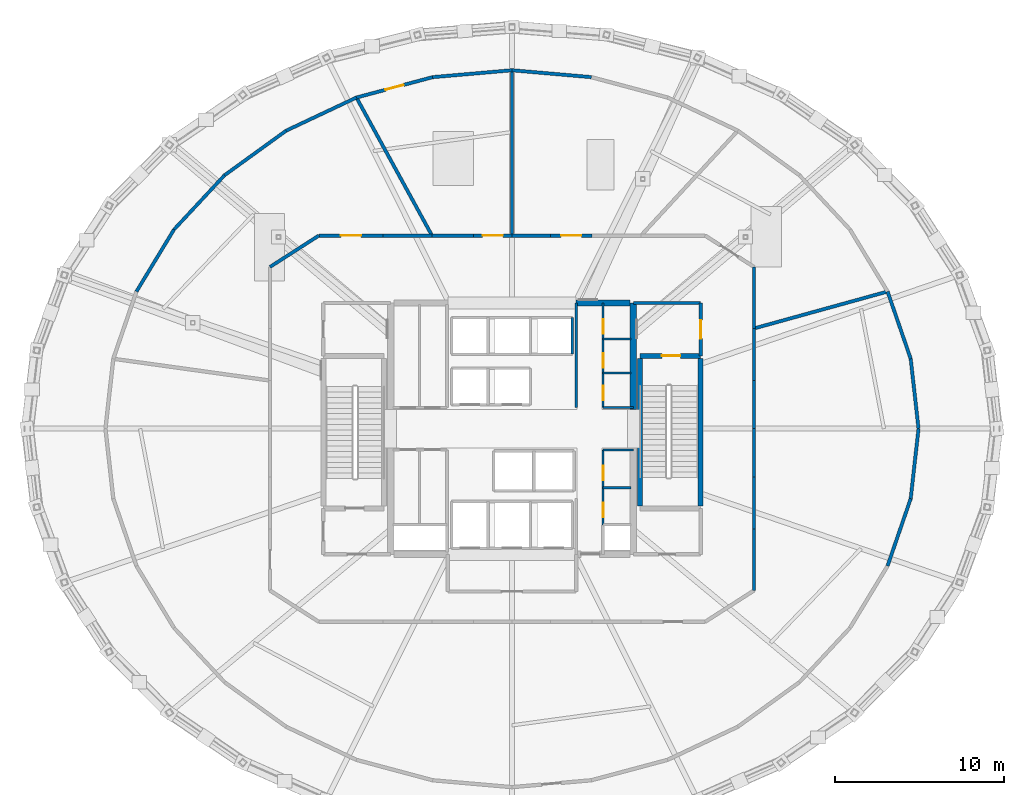
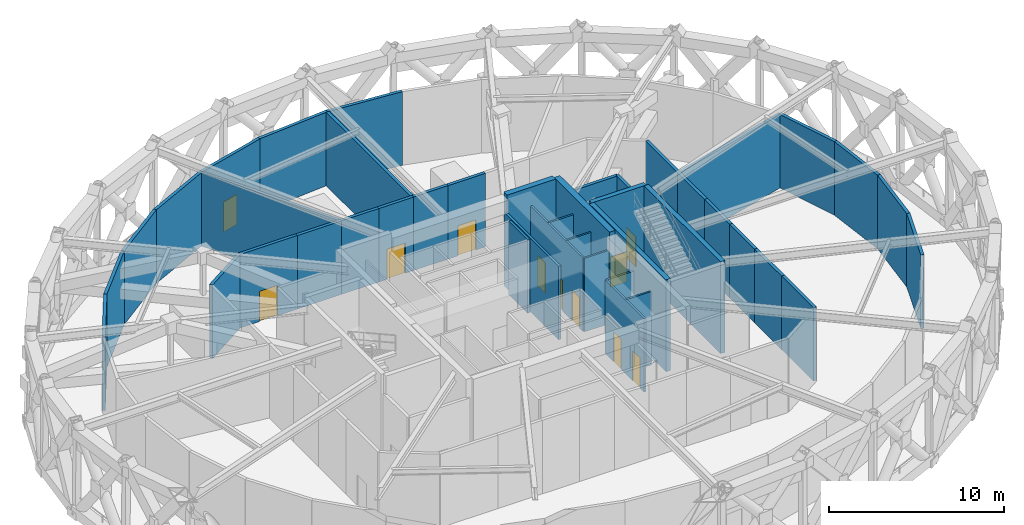
# One storey, part 10 of 15: 43 walls, 11 doors, 11 openings.
"""IFC4 building model written with IfcOpenShell, lengths in metres."""

from ifc_helpers import new_model, si_unit, direction, frame, frame_2d, origin, place, context, subcontext, project, spatial, rectangle, extrude, material, layer, layer_set, type_object, element, fill, save


model = new_model("IFC4")

# Units and contexts
model_context = context("Model", 3, precision=1e-05, world=origin(), true_north=direction((0.0, 1.0)))
body_context = subcontext(model_context, "Body", "Model", "MODEL_VIEW")
ifc_project = project(units=[si_unit("LENGTHUNIT", "METRE"), si_unit("AREAUNIT", "SQUARE_METRE"), si_unit("VOLUMEUNIT", "CUBIC_METRE"), si_unit("PLANEANGLEUNIT", "RADIAN"), si_unit("MASSUNIT", "GRAM", prefix="KILO")], contexts=[model_context])

# Site, building, storey
site_placement = place(None, origin())
site = spatial("IfcSite", under=ifc_project, at=site_placement, CompositionType="ELEMENT")
building_placement = place(site_placement, origin())
building = spatial("IfcBuilding", under=site, at=building_placement, Name="Veldorina Hangang Commons", CompositionType="ELEMENT")
storey_placement = place(building_placement, frame((0.0, 0.0, 110.800048828125)))
storey = spatial("IfcBuildingStorey", under=building, at=storey_placement, Name="L28", CompositionType="ELEMENT", Elevation=110.800048828125)

# Walls
ifc_material_1 = material(Name="Concrete C70/85", Category="concrete")
ifc_layer_1 = layer(ifc_material_1, 0.3798828125)
ifc_layer_set_1 = layer_set([ifc_layer_1], Name="Concrete C70/85")
wall_type_1 = type_object("IfcWallType", Name="CW-RC380-C70", PredefinedType="SHEAR", material=ifc_layer_set_1)
wall_1_placement = place(storey_placement, frame((39.199951171875, 25.14990234375, 0.0), z_axis=(0.0, 0.0, 1.0), x_axis=(0.0, 1.0, 0.0)))
element("IfcWall", 1, at=wall_1_placement, inside=storey, type_object=wall_type_1, Name="L28 E north core shear wall", PredefinedType="SHEAR", context=body_context, shape_type="SweptSolid", body=[
    extrude(rectangle(XDim=6.300048828125, YDim=0.3798828125, at=frame_2d((3.14990234375, 0.0))), origin(), (0.0, 0.0, 1.0), 6.39990234375),
])
wall_2_placement = place(storey_placement, frame((35.800048828125, 31.449951171875, 0.0), z_axis=(0.0, 0.0, 1.0), x_axis=(1.0, 0.0, 0.0)))
element("IfcWall", 2, at=wall_2_placement, inside=storey, type_object=wall_type_1, Name="L28 north-east core shear wall", PredefinedType="SHEAR", context=body_context, shape_type="SweptSolid", body=[
    extrude(rectangle(XDim=3.2099609375, YDim=0.3798828125, at=frame_2d((1.60498046875, 0.0))), origin(), (0.0, 0.0, 1.0), 6.39990234375),
])
ifc_material_2 = material(Name="Concrete C50/60", Category="concrete")
ifc_layer_2 = layer(ifc_material_2, 0.300048828125)
ifc_layer_set_2 = layer_set([ifc_layer_2], Name="Concrete C50/60")
wall_type_2 = type_object("IfcWallType", Name="SW-STAIR-300", PredefinedType="SHEAR", material=ifc_layer_set_2)
for number, where, z_axis, x_axis, name in (
    (3, (43.179931640625, 19.429931640625, 0.0), (0.0, 0.0, 1.0), (0.0, 1.0, 0.0), "L28 ST2 outer stair shear wall"),
    (4, (39.580078125, 19.429931640625, 0.0), (0.0, 0.0, 1.0), (0.0, 1.0, 0.0), "L28 ST2 inner stair shear wall"),
):
    element("IfcWall", number, at=place(storey_placement, frame(where, z_axis=z_axis, x_axis=x_axis)), inside=storey, type_object=wall_type_2, Name=name, PredefinedType="SHEAR", context=body_context, shape_type="SweptSolid", body=[
        extrude(rectangle(XDim=8.739990234375, YDim=0.300048828125, at=frame_2d((4.3701171875, 0.0))), origin(), (0.0, 0.0, 1.0), 6.39990234375),
    ])

# Wall, opening, door
wall_3_placement = place(storey_placement, frame((39.580078125, 28.320068359375, 0.0), z_axis=(0.0, 0.0, 1.0), x_axis=(1.0, 0.0, 0.0)))
wall_3 = element("IfcWall", 5, at=wall_3_placement, inside=storey, type_object=wall_type_2, Name="L28 ST2 north stair shear wall", PredefinedType="SHEAR", context=body_context, shape_type="SweptSolid", body=[
    extrude(rectangle(XDim=3.599853515625, YDim=0.300048828125, at=frame_2d((1.7998046875, 0.0))), origin(), (0.0, 0.0, 1.0), 6.39990234375),
])
opening_1_placement = place(wall_3_placement, frame((1.300048828125, 0.0, 0.0)))
opening_1 = element("IfcOpeningElement", 6, at=opening_1_placement, cuts=wall_3, Name="Opening D-08", PredefinedType="OPENING", context=body_context, shape_type="SweptSolid", body=[
    extrude(rectangle(XDim=1.10009765625, YDim=2.10009765625, at=frame_2d((0.550048828125, 1.050048828125))), frame((0.0, 0.16015625, 0.0), z_axis=(0.0, -1.0, 0.0), x_axis=(1.0, 0.0, 0.0)), (0.0, 0.0, 1.0), 0.320068359375),
])
ifc_material_3 = material(Name="Steel Fire-Rated Smoke Seal", Category="steel")
door_type_1 = type_object("IfcDoorType", Name="DR-FIRE-1100", OperationType="SINGLE_SWING_RIGHT", PredefinedType="DOOR", material=ifc_material_3)
door_1_placement = place(opening_1_placement, origin())
door_1 = element("IfcDoor", 7, at=door_1_placement, inside=storey, type_object=door_type_1, Name="L28 Special Escape Stair ST-2 door", OperationType="SINGLE_SWING_RIGHT", OverallHeight=2.10009765625, OverallWidth=1.10009765625, PredefinedType="DOOR", context=body_context, shape_type="SweptSolid", body=[
    extrude(rectangle(XDim=1.10009765625, YDim=2.10009765625, at=frame_2d((0.550048828125, 1.050048828125))), frame((0.0, 0.02490234375, 0.0), z_axis=(0.0, -1.0, 0.0), x_axis=(1.0, 0.0, 0.0)), (0.0, 0.0, 1.0), 0.050048828125),
])
fill(opening_1, door_1)

# Walls
ifc_material_4 = material(Name="Gypsum Fire-Rated Twin Stud Wall", Category="gypsum")
ifc_layer_3 = layer(ifc_material_4, 0.159912109375)
ifc_layer_set_3 = layer_set([ifc_layer_3], Name="Gypsum Fire-Rated Twin Stud Wall")
wall_type_3 = type_object("IfcWallType", Name="WL-FIRE-160", PredefinedType="SOLIDWALL", material=ifc_layer_set_3)
wall_4_placement = place(storey_placement, frame((35.800048828125, 25.25, 0.0), z_axis=(0.0, 0.0, 1.0), x_axis=(0.0, 1.0, 0.0)))
element("IfcWall", 8, at=wall_4_placement, inside=storey, type_object=wall_type_3, Name="L28 Lift passage NW wall 011", PredefinedType="SOLIDWALL", context=body_context, shape_type="SweptSolid", body=[
    extrude(rectangle(XDim=6.199951171875, YDim=0.159912109375, at=frame_2d((3.10009765625, 0.0))), origin(), (0.0, 0.0, 1.0), 5.119873046875),
])
wall_5_placement = place(storey_placement, frame((35.580078125, 28.419921875, 0.0), z_axis=(0.0, 0.0, 1.0), x_axis=(0.0, 1.0, 0.0)))
element("IfcWall", 9, at=wall_5_placement, inside=storey, type_object=wall_type_3, Name="L28 PL-L3 east shaft wall 020", PredefinedType="SOLIDWALL", context=body_context, shape_type="SweptSolid", body=[
    extrude(rectangle(XDim=2.16015625, YDim=0.159912109375, at=frame_2d((1.080078125, 0.0))), origin(), (0.0, 0.0, 1.0), 5.119873046875),
])

# Wall, opening, door
ifc_material_5 = material(Name="Concrete Blockwork Fire Wall C30/37", Category="masonry")
ifc_layer_4 = layer(ifc_material_5, 0.199951171875)
ifc_layer_set_4 = layer_set([ifc_layer_4], Name="Concrete Blockwork Fire Wall C30/37")
wall_type_4 = type_object("IfcWallType", Name="WL-FIRE-200", PredefinedType="SOLIDWALL", material=ifc_layer_set_4)
wall_6_placement = place(storey_placement, frame((43.179931640625, 28.320068359375, 0.0), z_axis=(0.0, 0.0, 1.0), x_axis=(0.0, 1.0, 0.0)))
wall_6 = element("IfcWall", 10, at=wall_6_placement, inside=storey, type_object=wall_type_4, Name="L28 East vestibule outer wall 003", PredefinedType="SOLIDWALL", context=body_context, shape_type="SweptSolid", body=[
    extrude(rectangle(XDim=3.1298828125, YDim=0.199951171875, at=frame_2d((1.56494140625, 0.0))), origin(), (0.0, 0.0, 1.0), 5.119873046875),
])
opening_2_placement = place(wall_6_placement, frame((1.014892578125, 0.0, 0.0)))
opening_2 = element("IfcOpeningElement", 11, at=opening_2_placement, cuts=wall_6, Name="Opening D-08", PredefinedType="OPENING", context=body_context, shape_type="SweptSolid", body=[
    extrude(rectangle(XDim=1.10009765625, YDim=2.10009765625, at=frame_2d((0.550048828125, 1.050048828125))), frame((0.0, 0.10986328125, 0.0), z_axis=(0.0, -1.0, 0.0), x_axis=(1.0, 0.0, 0.0)), (0.0, 0.0, 1.0), 0.219970703125),
])
door_2_placement = place(opening_2_placement, origin())
door_2 = element("IfcDoor", 12, at=door_2_placement, inside=storey, type_object=door_type_1, Name="L28 East vestibule east door 003", OperationType="SINGLE_SWING_RIGHT", OverallHeight=2.10009765625, OverallWidth=1.10009765625, PredefinedType="DOOR", context=body_context, shape_type="SweptSolid", body=[
    extrude(rectangle(XDim=1.10009765625, YDim=2.10009765625, at=frame_2d((0.550048828125, 1.050048828125))), frame((0.0, 0.02490234375, 0.0), z_axis=(0.0, -1.0, 0.0), x_axis=(1.0, 0.0, 0.0)), (0.0, 0.0, 1.0), 0.050048828125),
])
fill(opening_2, door_2)

# Walls
wall_7_placement = place(storey_placement, frame((39.199951171875, 31.449951171875, 0.0), z_axis=(0.0, 0.0, 1.0), x_axis=(1.0, 0.0, 0.0)))
element("IfcWall", 13, at=wall_7_placement, inside=storey, type_object=wall_type_4, Name="L28 East vestibule north wall 004", PredefinedType="SOLIDWALL", context=body_context, shape_type="SweptSolid", body=[
    extrude(rectangle(XDim=3.97998046875, YDim=0.199951171875, at=frame_2d((1.989990234375, 0.0))), origin(), (0.0, 0.0, 1.0), 5.119873046875),
])
wall_8_placement = place(storey_placement, frame((56.10009765625, 24.0, 0.0), z_axis=(0.0, 0.0, 1.0), x_axis=(-0.111022469206, 0.993817896464, 0.0)))
element("IfcWall", 14, at=wall_8_placement, inside=storey, type_object=wall_type_4, Name="L28 L28 wind-floor compartment wall 00 052", PredefinedType="SOLIDWALL", context=body_context, shape_type="SweptSolid", body=[
    extrude(rectangle(XDim=4.171630859375, YDim=0.199951171875, at=frame_2d((2.0859375, 0.0))), origin(), (0.0, 0.0, 1.0), 5.119873046875),
])
wall_9_placement = place(storey_placement, frame((55.636962890625, 28.145751953125, 0.0), z_axis=(0.0, 0.0, 1.0), x_axis=(-0.325351665006, 0.945593091175, 0.0)))
element("IfcWall", 15, at=wall_9_placement, inside=storey, type_object=wall_type_4, Name="L28 L28 wind-floor compartment wall 01 053", PredefinedType="SOLIDWALL", context=body_context, shape_type="SweptSolid", body=[
    extrude(rectangle(XDim=4.215576171875, YDim=0.199951171875, at=frame_2d((2.10791015625, 0.0))), origin(), (0.0, 0.0, 1.0), 5.119873046875),
])
for number, where, z_axis, x_axis, name in (
    (16, (36.70166015625, 44.841796875, 0.0), (0.0, 0.0, 1.0), (-0.996252226141, 0.086495675673, 0.0), "L28 L28 wind-floor compartment wall 07 059"),
    (17, (32.0, 45.25, 0.0), (0.0, 0.0, 1.0), (-0.996252226141, -0.086495675673, 0.0), "L28 L28 wind-floor compartment wall 08 060"),
):
    element("IfcWall", number, at=place(storey_placement, frame(where, z_axis=z_axis, x_axis=x_axis)), inside=storey, type_object=wall_type_4, Name=name, PredefinedType="SOLIDWALL", context=body_context, shape_type="SweptSolid", body=[
        extrude(rectangle(XDim=4.71923828125, YDim=0.199951171875, at=frame_2d((2.359619140625, 0.0))), origin(), (0.0, 0.0, 1.0), 5.119873046875),
    ])

# Wall, opening, door
wall_10_placement = place(storey_placement, frame((27.29833984375, 44.841796875, 0.0), z_axis=(0.0, 0.0, 1.0), x_axis=(-0.9660285601, -0.258435332473, 0.0)))
wall_10 = element("IfcWall", 18, at=wall_10_placement, inside=storey, type_object=wall_type_4, Name="L28 L28 wind-floor compartment wall 09 061", PredefinedType="SOLIDWALL", context=body_context, shape_type="SweptSolid", body=[
    extrude(rectangle(XDim=4.679931640625, YDim=0.199951171875, at=frame_2d((2.33984375, 0.0))), origin(), (0.0, 0.0, 1.0), 5.119873046875),
])
opening_3_placement = place(wall_10_placement, frame((1.789794921875, 0.0, 0.0)))
opening_3 = element("IfcOpeningElement", 19, at=opening_3_placement, cuts=wall_10, Name="Opening D-08", PredefinedType="OPENING", context=body_context, shape_type="SweptSolid", body=[
    extrude(rectangle(XDim=1.10009765625, YDim=2.10009765625, at=frame_2d((0.550048828125, 1.050048828125))), frame((0.0, 0.10986328125, 0.0), z_axis=(0.0, -1.0, 0.0), x_axis=(1.0, 0.0, 0.0)), (0.0, 0.0, 1.0), 0.219970703125),
])
door_3_placement = place(opening_3_placement, origin())
door_3 = element("IfcDoor", 20, at=door_3_placement, inside=storey, type_object=door_type_1, Name="L28 L28 wind gallery north door 022", OperationType="SINGLE_SWING_RIGHT", OverallHeight=2.10009765625, OverallWidth=1.10009765625, PredefinedType="DOOR", context=body_context, shape_type="SweptSolid", body=[
    extrude(rectangle(XDim=1.10009765625, YDim=2.10009765625, at=frame_2d((0.550048828125, 1.050048828125))), frame((0.0, 0.02490234375, 0.0), z_axis=(0.0, -1.0, 0.0), x_axis=(1.0, 0.0, 0.0)), (0.0, 0.0, 1.0), 0.050048828125),
])
fill(opening_3, door_3)

# Walls
wall_11_placement = place(storey_placement, frame((22.77734375, 43.63232421875, 0.0), z_axis=(0.0, 0.0, 1.0), x_axis=(-0.904574703116, -0.426315149253, 0.0)))
element("IfcWall", 21, at=wall_11_placement, inside=storey, type_object=wall_type_4, Name="L28 L28 wind-floor compartment wall 10 062", PredefinedType="SOLIDWALL", context=body_context, shape_type="SweptSolid", body=[
    extrude(rectangle(XDim=4.60595703125, YDim=0.199951171875, at=frame_2d((2.302978515625, 0.0))), origin(), (0.0, 0.0, 1.0), 5.119873046875),
])
wall_12_placement = place(storey_placement, frame((18.61083984375, 41.668701171875, 0.0), z_axis=(0.0, 0.0, 1.0), x_axis=(-0.810131923704, -0.586247615088, 0.0)))
element("IfcWall", 22, at=wall_12_placement, inside=storey, type_object=wall_type_4, Name="L28 L28 wind-floor compartment wall 11 063", PredefinedType="SOLIDWALL", context=body_context, shape_type="SweptSolid", body=[
    extrude(rectangle(XDim=4.508056640625, YDim=0.199951171875, at=frame_2d((2.25390625, 0.0))), origin(), (0.0, 0.0, 1.0), 5.119873046875),
])
wall_13_placement = place(storey_placement, frame((14.958740234375, 39.02587890625, 0.0), z_axis=(0.0, 0.0, 1.0), x_axis=(-0.681317030747, -0.731988458661, 0.0)))
element("IfcWall", 23, at=wall_13_placement, inside=storey, type_object=wall_type_4, Name="L28 L28 wind-floor compartment wall 12 064", PredefinedType="SOLIDWALL", context=body_context, shape_type="SweptSolid", body=[
    extrude(rectangle(XDim=4.39892578125, YDim=0.199951171875, at=frame_2d((2.199462890625, 0.0))), origin(), (0.0, 0.0, 1.0), 5.119873046875),
])
wall_14_placement = place(storey_placement, frame((11.961669921875, 35.805908203125, 0.0), z_axis=(0.0, 0.0, 1.0), x_axis=(-0.518384837447, -0.855147449452, 0.0)))
element("IfcWall", 24, at=wall_14_placement, inside=storey, type_object=wall_type_4, Name="L28 L28 wind-floor compartment wall 13 065", PredefinedType="SOLIDWALL", context=body_context, shape_type="SweptSolid", body=[
    extrude(rectangle(XDim=4.296142578125, YDim=0.199951171875, at=frame_2d((2.14794921875, 0.0))), origin(), (0.0, 0.0, 1.0), 5.119873046875),
])
wall_15_placement = place(storey_placement, frame((54.265380859375, 15.867919921875, 0.0), z_axis=(0.0, 0.0, 1.0), x_axis=(0.325351665006, 0.945593091175, 0.0)))
element("IfcWall", 25, at=wall_15_placement, inside=storey, type_object=wall_type_4, Name="L28 L28 wind-floor compartment wall 30 082", PredefinedType="SOLIDWALL", context=body_context, shape_type="SweptSolid", body=[
    extrude(rectangle(XDim=4.215576171875, YDim=0.199951171875, at=frame_2d((2.10791015625, 0.0))), origin(), (0.0, 0.0, 1.0), 5.119873046875),
])
wall_16_placement = place(storey_placement, frame((55.636962890625, 19.854248046875, 0.0), z_axis=(0.0, 0.0, 1.0), x_axis=(0.111022469206, 0.993817896464, 0.0)))
element("IfcWall", 26, at=wall_16_placement, inside=storey, type_object=wall_type_4, Name="L28 L28 wind-floor compartment wall 31 083", PredefinedType="SOLIDWALL", context=body_context, shape_type="SweptSolid", body=[
    extrude(rectangle(XDim=4.171630859375, YDim=0.199951171875, at=frame_2d((2.0859375, 0.0))), origin(), (0.0, 0.0, 1.0), 5.119873046875),
])
wall_17_placement = place(storey_placement, frame((46.35009765625, 24.0, 0.0), z_axis=(0.0, 0.0, 1.0), x_axis=(0.0, 1.0, 0.0)))
element("IfcWall", 27, at=wall_17_placement, inside=storey, type_object=wall_type_4, Name="L28 Plant corridor wall 00 084", PredefinedType="SOLIDWALL", context=body_context, shape_type="SweptSolid", body=[
    extrude(rectangle(XDim=2.8544921875, YDim=0.199951171875, at=frame_2d((1.42724609375, 0.0))), origin(), (0.0, 0.0, 1.0), 5.119873046875),
])
wall_18_placement = place(storey_placement, frame((46.35009765625, 26.8544921875, 0.0), z_axis=(0.0, 0.0, 1.0), x_axis=(0.0, 1.0, 0.0)))
element("IfcWall", 28, at=wall_18_placement, inside=storey, type_object=wall_type_4, Name="L28 Plant corridor wall 01 085", PredefinedType="SOLIDWALL", context=body_context, shape_type="SweptSolid", body=[
    extrude(rectangle(XDim=3.089599609375, YDim=0.199951171875, at=frame_2d((1.544921875, 0.0))), origin(), (0.0, 0.0, 1.0), 5.119873046875),
])
wall_19_placement = place(storey_placement, frame((46.35009765625, 29.944091796875, 0.0), z_axis=(0.0, 0.0, 1.0), x_axis=(0.0, 1.0, 0.0)))
element("IfcWall", 29, at=wall_19_placement, inside=storey, type_object=wall_type_4, Name="L28 Plant corridor wall 02 086", PredefinedType="SOLIDWALL", context=body_context, shape_type="SweptSolid", body=[
    extrude(rectangle(XDim=3.644287109375, YDim=0.199951171875, at=frame_2d((1.822265625, 0.0))), origin(), (0.0, 0.0, 1.0), 5.119873046875),
])

# Wall, opening, door
wall_20_placement = place(storey_placement, frame((36.74267578125, 35.449951171875, 0.0), z_axis=(0.0, 0.0, 1.0), x_axis=(-1.0, 0.0, 0.0)))
wall_20 = element("IfcWall", 30, at=wall_20_placement, inside=storey, type_object=wall_type_4, Name="L28 Plant corridor wall 06 090", PredefinedType="SOLIDWALL", context=body_context, shape_type="SweptSolid", body=[
    extrude(rectangle(XDim=2.465087890625, YDim=0.199951171875, at=frame_2d((1.232421875, 0.0))), origin(), (0.0, 0.0, 1.0), 5.119873046875),
])
opening_4_placement = place(wall_20_placement, frame((0.632568359375, 0.0, 0.0)))
opening_4 = element("IfcOpeningElement", 31, at=opening_4_placement, cuts=wall_20, Name="Opening D-10", PredefinedType="OPENING", context=body_context, shape_type="SweptSolid", body=[
    extrude(rectangle(XDim=1.199951171875, YDim=2.10009765625, at=frame_2d((0.60009765625, 1.050048828125))), frame((0.0, 0.10986328125, 0.0), z_axis=(0.0, -1.0, 0.0), x_axis=(1.0, 0.0, 0.0)), (0.0, 0.0, 1.0), 0.219970703125),
])
ifc_material_6 = material(Name="Steel Heavy-Duty Acoustic Plant", Category="steel")
door_type_2 = type_object("IfcDoorType", Name="DR-PLANT-1200", OperationType="SINGLE_SWING_RIGHT", PredefinedType="DOOR", material=ifc_material_6)
door_4_placement = place(opening_4_placement, origin())
door_4 = element("IfcDoor", 32, at=door_4_placement, inside=storey, type_object=door_type_2, Name="L28 Air Handling Unit Mechanical Plant Room door 026", OperationType="SINGLE_SWING_RIGHT", OverallHeight=2.10009765625, OverallWidth=1.199951171875, PredefinedType="DOOR", context=body_context, shape_type="SweptSolid", body=[
    extrude(rectangle(XDim=1.199951171875, YDim=2.10009765625, at=frame_2d((0.60009765625, 1.050048828125))), frame((0.0, 0.02490234375, 0.0), z_axis=(0.0, -1.0, 0.0), x_axis=(1.0, 0.0, 0.0)), (0.0, 0.0, 1.0), 0.050048828125),
])
fill(opening_4, door_4)

# Wall
wall_21_placement = place(storey_placement, frame((34.277587890625, 35.449951171875, 0.0), z_axis=(0.0, 0.0, 1.0), x_axis=(-1.0, 0.0, 0.0)))
element("IfcWall", 33, at=wall_21_placement, inside=storey, type_object=wall_type_4, Name="L28 Plant corridor wall 07 091", PredefinedType="SOLIDWALL", context=body_context, shape_type="SweptSolid", body=[
    extrude(rectangle(XDim=2.277587890625, YDim=0.199951171875, at=frame_2d((1.138671875, 0.0))), origin(), (0.0, 0.0, 1.0), 5.119873046875),
])

# Wall, opening, door
wall_22_placement = place(storey_placement, frame((32.0, 35.449951171875, 0.0), z_axis=(0.0, 0.0, 1.0), x_axis=(-1.0, 0.0, 0.0)))
wall_22 = element("IfcWall", 34, at=wall_22_placement, inside=storey, type_object=wall_type_4, Name="L28 Plant corridor wall 08 092", PredefinedType="SOLIDWALL", context=body_context, shape_type="SweptSolid", body=[
    extrude(rectangle(XDim=2.277587890625, YDim=0.199951171875, at=frame_2d((1.138671875, 0.0))), origin(), (0.0, 0.0, 1.0), 5.119873046875),
])
opening_5_placement = place(wall_22_placement, frame((0.538818359375, 0.0, 0.0)))
opening_5 = element("IfcOpeningElement", 35, at=opening_5_placement, cuts=wall_22, Name="Opening D-10", PredefinedType="OPENING", context=body_context, shape_type="SweptSolid", body=[
    extrude(rectangle(XDim=1.199951171875, YDim=2.10009765625, at=frame_2d((0.60009765625, 1.050048828125))), frame((0.0, 0.10986328125, 0.0), z_axis=(0.0, -1.0, 0.0), x_axis=(1.0, 0.0, 0.0)), (0.0, 0.0, 1.0), 0.219970703125),
])
door_5_placement = place(opening_5_placement, origin())
door_5 = element("IfcDoor", 36, at=door_5_placement, inside=storey, type_object=door_type_2, Name="L28 Domestic and Fire Booster Pump Room door 027", OperationType="SINGLE_SWING_LEFT", OverallHeight=2.10009765625, OverallWidth=1.199951171875, PredefinedType="DOOR", context=body_context, shape_type="SweptSolid", body=[
    extrude(rectangle(XDim=1.199951171875, YDim=2.10009765625, at=frame_2d((0.60009765625, 1.050048828125))), frame((0.0, 0.02490234375, 0.0), z_axis=(0.0, -1.0, 0.0), x_axis=(1.0, 0.0, 0.0)), (0.0, 0.0, 1.0), 0.050048828125),
])
fill(opening_5, door_5)

# Walls
wall_23_placement = place(storey_placement, frame((29.722412109375, 35.449951171875, 0.0), z_axis=(0.0, 0.0, 1.0), x_axis=(-1.0, 0.0, 0.0)))
element("IfcWall", 37, at=wall_23_placement, inside=storey, type_object=wall_type_4, Name="L28 Plant corridor wall 09 093", PredefinedType="SOLIDWALL", context=body_context, shape_type="SweptSolid", body=[
    extrude(rectangle(XDim=2.465087890625, YDim=0.199951171875, at=frame_2d((1.232421875, 0.0))), origin(), (0.0, 0.0, 1.0), 5.119873046875),
])
wall_24_placement = place(storey_placement, frame((27.25732421875, 35.449951171875, 0.0), z_axis=(0.0, 0.0, 1.0), x_axis=(-1.0, 0.0, 0.0)))
element("IfcWall", 38, at=wall_24_placement, inside=storey, type_object=wall_type_4, Name="L28 Plant corridor wall 10 094", PredefinedType="SOLIDWALL", context=body_context, shape_type="SweptSolid", body=[
    extrude(rectangle(XDim=2.907958984375, YDim=0.199951171875, at=frame_2d((1.4541015625, 0.0))), origin(), (0.0, 0.0, 1.0), 5.119873046875),
])

# Wall, opening, door
wall_25_placement = place(storey_placement, frame((24.349365234375, 35.449951171875, 0.0), z_axis=(0.0, 0.0, 1.0), x_axis=(-1.0, 0.0, 0.0)))
wall_25 = element("IfcWall", 39, at=wall_25_placement, inside=storey, type_object=wall_type_4, Name="L28 Plant corridor wall 11 095", PredefinedType="SOLIDWALL", context=body_context, shape_type="SweptSolid", body=[
    extrude(rectangle(XDim=3.79931640625, YDim=0.199951171875, at=frame_2d((1.899658203125, 0.0))), origin(), (0.0, 0.0, 1.0), 5.119873046875),
])
opening_6_placement = place(wall_25_placement, frame((1.2998046875, 0.0, 0.0)))
opening_6 = element("IfcOpeningElement", 40, at=opening_6_placement, cuts=wall_25, Name="Opening D-10", PredefinedType="OPENING", context=body_context, shape_type="SweptSolid", body=[
    extrude(rectangle(XDim=1.199951171875, YDim=2.10009765625, at=frame_2d((0.60009765625, 1.050048828125))), frame((0.0, 0.10986328125, 0.0), z_axis=(0.0, -1.0, 0.0), x_axis=(1.0, 0.0, 0.0)), (0.0, 0.0, 1.0), 0.219970703125),
])
door_6_placement = place(opening_6_placement, origin())
door_6 = element("IfcDoor", 41, at=door_6_placement, inside=storey, type_object=door_type_2, Name="L28 High-Voltage Electrical Switchgear Room door 028", OperationType="SINGLE_SWING_RIGHT", OverallHeight=2.10009765625, OverallWidth=1.199951171875, PredefinedType="DOOR", context=body_context, shape_type="SweptSolid", body=[
    extrude(rectangle(XDim=1.199951171875, YDim=2.10009765625, at=frame_2d((0.60009765625, 1.050048828125))), frame((0.0, 0.02490234375, 0.0), z_axis=(0.0, -1.0, 0.0), x_axis=(1.0, 0.0, 0.0)), (0.0, 0.0, 1.0), 0.050048828125),
])
fill(opening_6, door_6)

# Walls
wall_26_placement = place(storey_placement, frame((20.550048828125, 35.449951171875, 0.0), z_axis=(0.0, 0.0, 1.0), x_axis=(-0.841548863049, -0.540180998464, 0.0)))
element("IfcWall", 42, at=wall_26_placement, inside=storey, type_object=wall_type_4, Name="L28 Plant corridor wall 12 096", PredefinedType="SOLIDWALL", context=body_context, shape_type="SweptSolid", body=[
    extrude(rectangle(XDim=3.4462890625, YDim=0.199951171875, at=frame_2d((1.72314453125, 0.0))), origin(), (0.0, 0.0, 1.0), 5.119873046875),
])
wall_27_placement = place(storey_placement, frame((46.35009765625, 14.41162109375, 0.0), z_axis=(0.0, 0.0, 1.0), x_axis=(0.0, 1.0, 0.0)))
element("IfcWall", 43, at=wall_27_placement, inside=storey, type_object=wall_type_4, Name="L28 Plant corridor wall 29 113", PredefinedType="SOLIDWALL", context=body_context, shape_type="SweptSolid", body=[
    extrude(rectangle(XDim=3.644287109375, YDim=0.199951171875, at=frame_2d((1.822265625, 0.0))), origin(), (0.0, 0.0, 1.0), 5.119873046875),
])
wall_28_placement = place(storey_placement, frame((46.35009765625, 18.055908203125, 0.0), z_axis=(0.0, 0.0, 1.0), x_axis=(0.0, 1.0, 0.0)))
element("IfcWall", 44, at=wall_28_placement, inside=storey, type_object=wall_type_4, Name="L28 Plant corridor wall 30 114", PredefinedType="SOLIDWALL", context=body_context, shape_type="SweptSolid", body=[
    extrude(rectangle(XDim=3.089599609375, YDim=0.199951171875, at=frame_2d((1.544921875, 0.0))), origin(), (0.0, 0.0, 1.0), 5.119873046875),
])
wall_29_placement = place(storey_placement, frame((46.35009765625, 21.1455078125, 0.0), z_axis=(0.0, 0.0, 1.0), x_axis=(0.0, 1.0, 0.0)))
element("IfcWall", 45, at=wall_29_placement, inside=storey, type_object=wall_type_4, Name="L28 Plant corridor wall 31 115", PredefinedType="SOLIDWALL", context=body_context, shape_type="SweptSolid", body=[
    extrude(rectangle(XDim=2.8544921875, YDim=0.199951171875, at=frame_2d((1.42724609375, 0.0))), origin(), (0.0, 0.0, 1.0), 5.119873046875),
])
wall_30_placement = place(storey_placement, frame((46.35009765625, 29.944091796875, 0.0), z_axis=(0.0, 0.0, 1.0), x_axis=(0.963853201809, 0.266433866772, 0.0)))
element("IfcWall", 46, at=wall_30_placement, inside=storey, type_object=wall_type_4, Name="L28 Refuge east outer fire wall 117", PredefinedType="SOLIDWALL", context=body_context, shape_type="SweptSolid", body=[
    extrude(rectangle(XDim=8.212158203125, YDim=0.199951171875, at=frame_2d((4.10595703125, 0.0))), origin(), (0.0, 0.0, 1.0), 5.119873046875),
])
wall_31_placement = place(storey_placement, frame((32.0, 35.449951171875, 0.0), z_axis=(0.0, 0.0, 1.0), x_axis=(0.0, 1.0, 0.0)))
element("IfcWall", 47, at=wall_31_placement, inside=storey, type_object=wall_type_4, Name="L28 Domestic and Fire Booster Pump Room divider 119", PredefinedType="SOLIDWALL", context=body_context, shape_type="SweptSolid", body=[
    extrude(rectangle(XDim=9.800048828125, YDim=0.199951171875, at=frame_2d((4.89990234375, 0.0))), origin(), (0.0, 0.0, 1.0), 5.119873046875),
])
wall_32_placement = place(storey_placement, frame((27.25732421875, 35.449951171875, 0.0), z_axis=(0.0, 0.0, 1.0), x_axis=(-0.480245112504, 0.877134329459, 0.0)))
element("IfcWall", 48, at=wall_32_placement, inside=storey, type_object=wall_type_4, Name="L28 High-Voltage Electrical Switchgear Room divider 120", PredefinedType="SOLIDWALL", context=body_context, shape_type="SweptSolid", body=[
    extrude(rectangle(XDim=9.32861328125, YDim=0.199951171875, at=frame_2d((4.664306640625, 0.0))), origin(), (0.0, 0.0, 1.0), 5.119873046875),
])

# Wall, openings, doors
ifc_material_7 = material(Name="Gypsum Acoustic Stud Partition", Category="gypsum")
ifc_layer_5 = layer(ifc_material_7, 0.1201171875)
ifc_layer_set_5 = layer_set([ifc_layer_5], Name="Gypsum Acoustic Stud Partition")
wall_type_5 = type_object("IfcWallType", Name="WL-PART-120", PredefinedType="PARTITIONING", material=ifc_layer_set_5)
wall_33_placement = place(storey_placement, frame((37.39990234375, 25.25, 0.0), z_axis=(0.0, 0.0, 1.0), x_axis=(0.0, 1.0, 0.0)))
wall_33 = element("IfcWall", 49, at=wall_33_placement, inside=storey, type_object=wall_type_5, Name="L28 NE strip lobby wall 043", PredefinedType="PARTITIONING", context=body_context, shape_type="SweptSolid", body=[
    extrude(rectangle(XDim=6.199951171875, YDim=0.1201171875, at=frame_2d((3.10009765625, 0.0))), origin(), (0.0, 0.0, 1.0), 5.119873046875),
])
opening_7_placement = place(wall_33_placement, frame((0.43994140625, 0.0, 0.0)))
opening_7 = element("IfcOpeningElement", 50, at=opening_7_placement, cuts=wall_33, Name="Opening D-01", PredefinedType="OPENING", context=body_context, shape_type="SweptSolid", body=[
    extrude(rectangle(XDim=0.860107421875, YDim=2.10009765625, at=frame_2d((0.43017578125, 1.050048828125))), frame((0.0, 0.070068359375, 0.0), z_axis=(0.0, -1.0, 0.0), x_axis=(1.0, 0.0, 0.0)), (0.0, 0.0, 1.0), 0.14013671875),
])
opening_8_placement = place(wall_33_placement, frame((2.3701171875, 0.0, 0.0)))
opening_8 = element("IfcOpeningElement", 51, at=opening_8_placement, cuts=wall_33, Name="Opening D-01", PredefinedType="OPENING", context=body_context, shape_type="SweptSolid", body=[
    extrude(rectangle(XDim=0.860107421875, YDim=2.10009765625, at=frame_2d((0.43017578125, 1.050048828125))), frame((0.0, 0.070068359375, 0.0), z_axis=(0.0, -1.0, 0.0), x_axis=(1.0, 0.0, 0.0)), (0.0, 0.0, 1.0), 0.14013671875),
])
opening_9_placement = place(wall_33_placement, frame((4.389892578125, 0.0, 0.0)))
opening_9 = element("IfcOpeningElement", 52, at=opening_9_placement, cuts=wall_33, Name="Opening D-01", PredefinedType="OPENING", context=body_context, shape_type="SweptSolid", body=[
    extrude(rectangle(XDim=0.860107421875, YDim=2.10009765625, at=frame_2d((0.43017578125, 1.050048828125))), frame((0.0, 0.070068359375, 0.0), z_axis=(0.0, -1.0, 0.0), x_axis=(1.0, 0.0, 0.0)), (0.0, 0.0, 1.0), 0.14013671875),
])
ifc_material_8 = material(Name="Timber Moisture-Resistant Core", Category="wood")
door_type_3 = type_object("IfcDoorType", Name="DR-WET-860", OperationType="SINGLE_SWING_LEFT", PredefinedType="DOOR", material=ifc_material_8)
door_7_placement = place(opening_7_placement, origin())
door_7 = element("IfcDoor", 53, at=door_7_placement, inside=storey, type_object=door_type_3, Name="L28 Fiber Riser Closet door 016", OperationType="SINGLE_SWING_RIGHT", OverallHeight=2.10009765625, OverallWidth=0.860107421875, PredefinedType="DOOR", context=body_context, shape_type="SweptSolid", body=[
    extrude(rectangle(XDim=0.860107421875, YDim=2.10009765625, at=frame_2d((0.43017578125, 1.050048828125))), frame((0.0, 0.02490234375, 0.0), z_axis=(0.0, -1.0, 0.0), x_axis=(1.0, 0.0, 0.0)), (0.0, 0.0, 1.0), 0.050048828125),
])
fill(opening_7, door_7)
door_8_placement = place(opening_8_placement, origin())
door_8 = element("IfcDoor", 54, at=door_8_placement, inside=storey, type_object=door_type_3, Name="L28 AV Rack Closet door 017", OperationType="SINGLE_SWING_LEFT", OverallHeight=2.10009765625, OverallWidth=0.860107421875, PredefinedType="DOOR", context=body_context, shape_type="SweptSolid", body=[
    extrude(rectangle(XDim=0.860107421875, YDim=2.10009765625, at=frame_2d((0.43017578125, 1.050048828125))), frame((0.0, 0.02490234375, 0.0), z_axis=(0.0, -1.0, 0.0), x_axis=(1.0, 0.0, 0.0)), (0.0, 0.0, 1.0), 0.050048828125),
])
fill(opening_8, door_8)
door_9_placement = place(opening_9_placement, origin())
door_9 = element("IfcDoor", 55, at=door_9_placement, inside=storey, type_object=door_type_3, Name="L28 Supply Closet door 018", OperationType="SINGLE_SWING_RIGHT", OverallHeight=2.10009765625, OverallWidth=0.860107421875, PredefinedType="DOOR", context=body_context, shape_type="SweptSolid", body=[
    extrude(rectangle(XDim=0.860107421875, YDim=2.10009765625, at=frame_2d((0.43017578125, 1.050048828125))), frame((0.0, 0.02490234375, 0.0), z_axis=(0.0, -1.0, 0.0), x_axis=(1.0, 0.0, 0.0)), (0.0, 0.0, 1.0), 0.050048828125),
])
fill(opening_9, door_9)

# Wall
wall_34_placement = place(storey_placement, frame((37.39990234375, 25.25, 0.0), z_axis=(0.0, 0.0, 1.0), x_axis=(1.0, 0.0, 0.0)))
element("IfcWall", 56, at=wall_34_placement, inside=storey, type_object=wall_type_5, Name="L28 NE strip south return wall 044", PredefinedType="PARTITIONING", context=body_context, shape_type="SweptSolid", body=[
    extrude(rectangle(XDim=1.800048828125, YDim=0.1201171875, at=frame_2d((0.89990234375, 0.0))), origin(), (0.0, 0.0, 1.0), 5.119873046875),
])

# Wall, openings, doors
wall_35_placement = place(storey_placement, frame((37.39990234375, 18.300048828125, 0.0), z_axis=(0.0, 0.0, 1.0), x_axis=(0.0, 1.0, 0.0)))
wall_35 = element("IfcWall", 57, at=wall_35_placement, inside=storey, type_object=wall_type_5, Name="L28 SE strip lobby wall 045", PredefinedType="PARTITIONING", context=body_context, shape_type="SweptSolid", body=[
    extrude(rectangle(XDim=4.449951171875, YDim=0.1201171875, at=frame_2d((2.22509765625, 0.0))), origin(), (0.0, 0.0, 1.0), 5.119873046875),
])
opening_10_placement = place(wall_35_placement, frame((0.449951171875, 0.0, 0.0)))
opening_10 = element("IfcOpeningElement", 58, at=opening_10_placement, cuts=wall_35, Name="Opening D-01", PredefinedType="OPENING", context=body_context, shape_type="SweptSolid", body=[
    extrude(rectangle(XDim=0.860107421875, YDim=2.10009765625, at=frame_2d((0.43017578125, 1.050048828125))), frame((0.0, 0.070068359375, 0.0), z_axis=(0.0, -1.0, 0.0), x_axis=(1.0, 0.0, 0.0)), (0.0, 0.0, 1.0), 0.14013671875),
])
opening_11_placement = place(wall_35_placement, frame((2.64990234375, 0.0, 0.0)))
opening_11 = element("IfcOpeningElement", 59, at=opening_11_placement, cuts=wall_35, Name="Opening D-01", PredefinedType="OPENING", context=body_context, shape_type="SweptSolid", body=[
    extrude(rectangle(XDim=0.860107421875, YDim=2.10009765625, at=frame_2d((0.43017578125, 1.050048828125))), frame((0.0, 0.070068359375, 0.0), z_axis=(0.0, -1.0, 0.0), x_axis=(1.0, 0.0, 0.0)), (0.0, 0.0, 1.0), 0.14013671875),
])
door_10_placement = place(opening_10_placement, origin())
door_10 = element("IfcDoor", 60, at=door_10_placement, inside=storey, type_object=door_type_3, Name="L28 Janitor sink door 019", OperationType="SINGLE_SWING_LEFT", OverallHeight=2.10009765625, OverallWidth=0.860107421875, PredefinedType="DOOR", context=body_context, shape_type="SweptSolid", body=[
    extrude(rectangle(XDim=0.860107421875, YDim=2.10009765625, at=frame_2d((0.43017578125, 1.050048828125))), frame((0.0, 0.02490234375, 0.0), z_axis=(0.0, -1.0, 0.0), x_axis=(1.0, 0.0, 0.0)), (0.0, 0.0, 1.0), 0.050048828125),
])
fill(opening_10, door_10)
door_11_placement = place(opening_11_placement, origin())
door_11 = element("IfcDoor", 61, at=door_11_placement, inside=storey, type_object=door_type_3, Name="L28 Fire panel door 020", OperationType="SINGLE_SWING_RIGHT", OverallHeight=2.10009765625, OverallWidth=0.860107421875, PredefinedType="DOOR", context=body_context, shape_type="SweptSolid", body=[
    extrude(rectangle(XDim=0.860107421875, YDim=2.10009765625, at=frame_2d((0.43017578125, 1.050048828125))), frame((0.0, 0.02490234375, 0.0), z_axis=(0.0, -1.0, 0.0), x_axis=(1.0, 0.0, 0.0)), (0.0, 0.0, 1.0), 0.050048828125),
])
fill(opening_11, door_11)

# Walls
wall_36_placement = place(storey_placement, frame((37.39990234375, 22.75, 0.0), z_axis=(0.0, 0.0, 1.0), x_axis=(1.0, 0.0, 0.0)))
element("IfcWall", 62, at=wall_36_placement, inside=storey, type_object=wall_type_5, Name="L28 SE strip north return wall 046", PredefinedType="PARTITIONING", context=body_context, shape_type="SweptSolid", body=[
    extrude(rectangle(XDim=1.800048828125, YDim=0.1201171875, at=frame_2d((0.89990234375, 0.0))), origin(), (0.0, 0.0, 1.0), 5.119873046875),
])
for number, where, z_axis, x_axis, name in (
    (63, (37.39990234375, 27.300048828125, 0.0), (0.0, 0.0, 1.0), (1.0, 0.0, 0.0), "L28 NE split 1 049"),
    (64, (37.39990234375, 29.330078125, 0.0), (0.0, 0.0, 1.0), (1.0, 0.0, 0.0), "L28 NE split 2 050"),
    (65, (37.39990234375, 20.5, 0.0), (0.0, 0.0, 1.0), (1.0, 0.0, 0.0), "L28 SE horizontal split 051"),
):
    element("IfcWall", number, at=place(storey_placement, frame(where, z_axis=z_axis, x_axis=x_axis)), inside=storey, type_object=wall_type_5, Name=name, PredefinedType="PARTITIONING", context=body_context, shape_type="SweptSolid", body=[
        extrude(rectangle(XDim=1.650146484375, YDim=0.1201171875, at=frame_2d((0.8251953125, 0.0))), origin(), (0.0, 0.0, 1.0), 5.119873046875),
    ])

save(model, "model.ifc")
